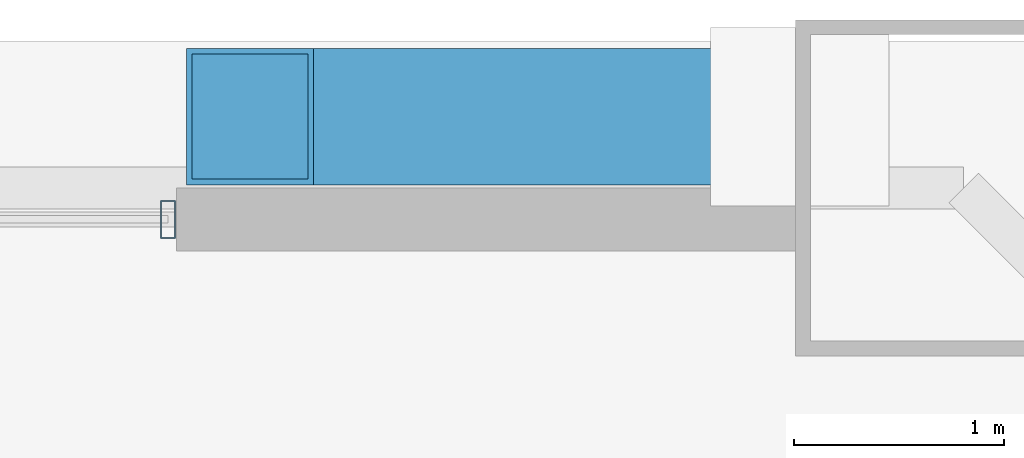
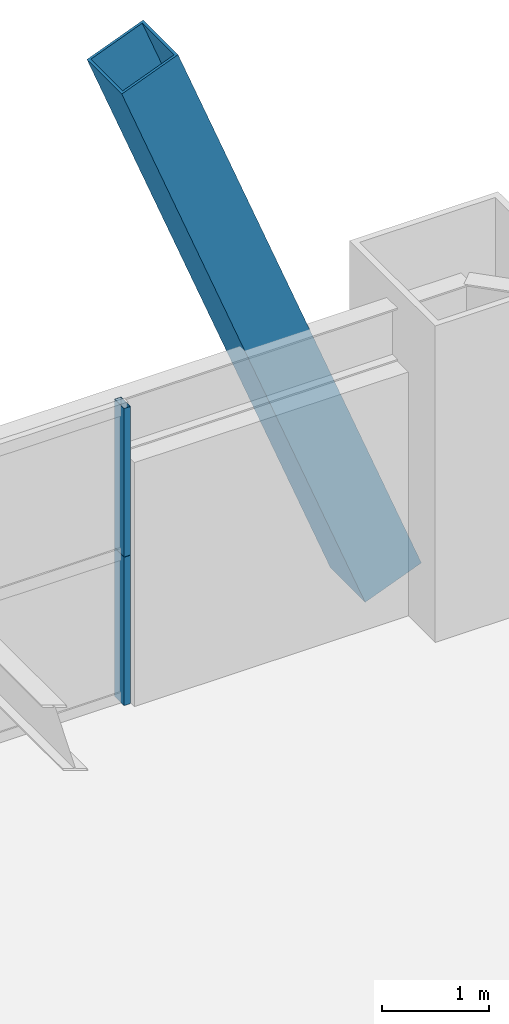
# One storey, part 37 of 43: 3 members, 1 element without a shape of its own.
"""IFC4 building model written with IfcOpenShell, lengths in metres."""

from ifc_helpers import new_model, si_unit, direction, frame, origin, origin_2d, place, context, subcontext, project, spatial, hollow_rectangle, extrude, source, transform, mapped, material, layer, layer_set, material_profile, profile_set, type_object, element, aggregate, save


model = new_model("IFC4")

# Units and contexts
model_context = context("Model", 3, precision=1e-05, world=origin(), true_north=direction((0.0, 1.0)))
body_context = subcontext(model_context, "Body", "Model", "MODEL_VIEW")
ifc_project = project(units=[si_unit("LENGTHUNIT", "METRE"), si_unit("AREAUNIT", "SQUARE_METRE"), si_unit("VOLUMEUNIT", "CUBIC_METRE"), si_unit("PLANEANGLEUNIT", "RADIAN"), si_unit("MASSUNIT", "GRAM", prefix="KILO"), si_unit("THERMODYNAMICTEMPERATUREUNIT", "KELVIN"), si_unit("POWERUNIT", "WATT")], contexts=[model_context])

# Site, building, storey
site_placement = place(None, origin())
site = spatial("IfcSite", under=ifc_project, at=site_placement, CompositionType="ELEMENT")
building_placement = place(site_placement, origin())
building = spatial("IfcBuilding", under=site, at=building_placement, Name="Yuzanri Waterfront Tower", CompositionType="ELEMENT")
storey_placement = place(building_placement, frame((0.0, 0.0, 108.199951171875)))
storey = spatial("IfcBuildingStorey", under=building, at=storey_placement, Name="L28", CompositionType="ELEMENT", Elevation=108.199951171875)

# Member
ifc_material_1 = material(Name="Steel Q420GJC", Category="steel")
ifc_material_profile_1 = material_profile(ifc_material_1, hollow_rectangle(XDim=0.64990234375, YDim=0.64990234375, WallThickness=0.028076171875, at=origin_2d()), Name="RHS 650x650x28")
ifc_profile_set_1 = profile_set([ifc_material_profile_1], Name="Steel Q420GJC")
member_type_1 = type_object("IfcMemberType", Name="Mega Brace Lower Q420GJC RHS 650x650x28", PredefinedType="BRACE", material=ifc_profile_set_1)
shared_shape_1 = source(origin(), body_context, "Body", "SweptSolid", [
    extrude(hollow_rectangle(XDim=0.64990234375, YDim=0.64990234375, WallThickness=0.028076171875, at=origin_2d()), origin(), (0.0, 0.0, 1.0), 7.194091796875),
])
member_1_placement = place(storey_placement, frame((56.219970703125, 49.739990234375, 0.179931640625), z_axis=(-0.36416517997, 0.0, 0.931334376955), x_axis=(0.0, -1.0, 0.0)))
element("IfcMember", 1, at=member_1_placement, inside=storey, type_object=member_type_1, Name="L28-L29 Perimeter Mega-Brace N-R", PredefinedType="BRACE", context=body_context, shape_type="MappedRepresentation", body=[
    mapped(shared_shape_1, transform((0.0, 0.0, 0.0), scale=1.0)),
])

# Curtain wall, members
ifc_material_2 = material(Name="Anodized Architectural Bronze", Category="metal")
ifc_layer = layer(ifc_material_2, 0.159912109375)
ifc_layer_set = layer_set([ifc_layer], Name="Anodized Architectural Bronze")
curtain_wall_type = type_object("IfcCurtainWallType", Name="Anodized Bronze Hotel Upper-Tier Solar-Control Unitized Curtain Wall 7800", PredefinedType="NOTDEFINED", material=ifc_layer_set)
curtain_wall_placement = place(storey_placement, origin())
curtain_wall = element("IfcCurtainWall", 2, at=curtain_wall_placement, inside=storey, type_object=curtain_wall_type, Name="L28 Curtain Wall CW-L28-NR", PredefinedType="NOTDEFINED")
ifc_material_3 = material(Name="Anodized Architectural Bronze", Category="metal")
ifc_material_profile_2 = material_profile(ifc_material_3, hollow_rectangle(XDim=0.070068359375, YDim=0.179931640625, WallThickness=0.00390625, at=origin_2d()), Name="CWM 70x180")
ifc_profile_set_2 = profile_set([ifc_material_profile_2], Name="Anodized Architectural Bronze")
member_type_2 = type_object("IfcMemberType", Name="Anodized Bronze Standard Curtain-Wall Mullion 70x180", PredefinedType="MULLION", material=ifc_profile_set_2)
shared_shape_2 = source(origin(), body_context, "Body", "SweptSolid", [
    extrude(hollow_rectangle(XDim=0.070068359375, YDim=0.179931640625, WallThickness=0.00390625, at=origin_2d()), origin(), (0.0, 0.0, 1.0), 1.68798828125),
])
member_2_placement = place(storey_placement, frame((53.2099609375, 49.25, 0.0), z_axis=(0.0, 0.0, 1.0), x_axis=(1.0, 0.0, 0.0)))
member_2 = element("IfcMember", 3, at=member_2_placement, type_object=member_type_2, Name="CW-L28-NR Lower Mullion 02", PredefinedType="MULLION", context=body_context, shape_type="MappedRepresentation", body=[
    mapped(shared_shape_2, transform((0.0, 0.0, 0.0), scale=1.0)),
])
member_3_placement = place(storey_placement, frame((53.2099609375, 49.25, 1.692138671875), z_axis=(0.0, 0.0, 1.0), x_axis=(1.0, 0.0, 0.0)))
member_3 = element("IfcMember", 4, at=member_3_placement, type_object=member_type_2, Name="CW-L28-NR Upper Mullion 02", PredefinedType="MULLION", context=body_context, shape_type="MappedRepresentation", body=[
    mapped(shared_shape_2, transform((0.0, 0.0, 0.0), scale=1.0)),
])
aggregate(curtain_wall, [member_2, member_3])

save(model, "model.ifc")
